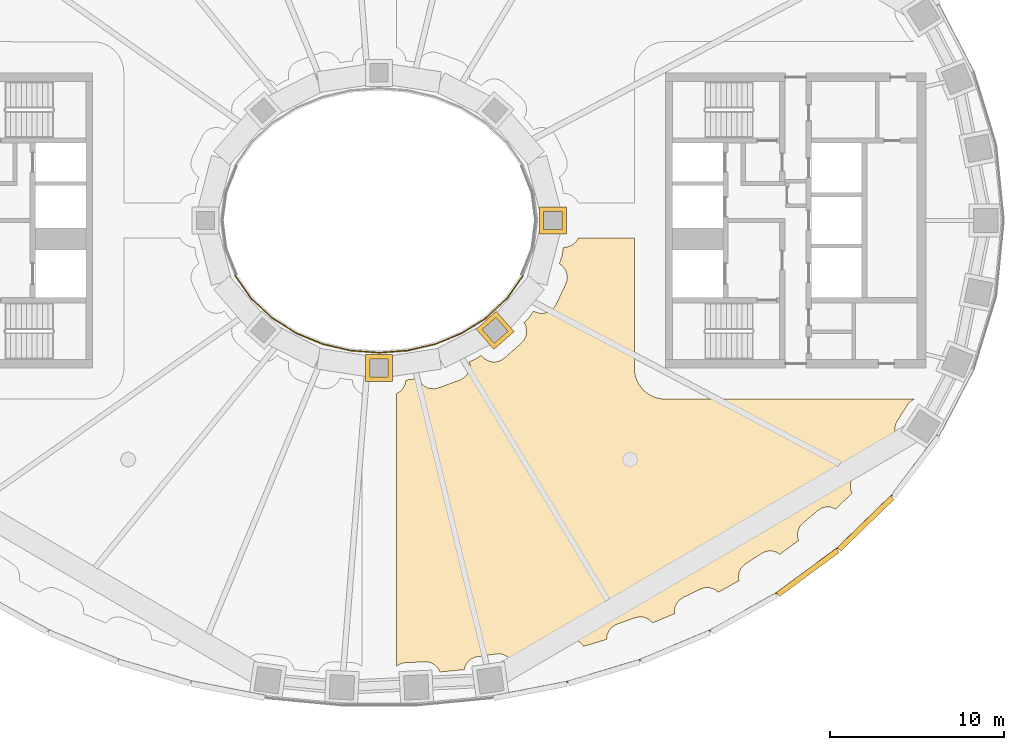
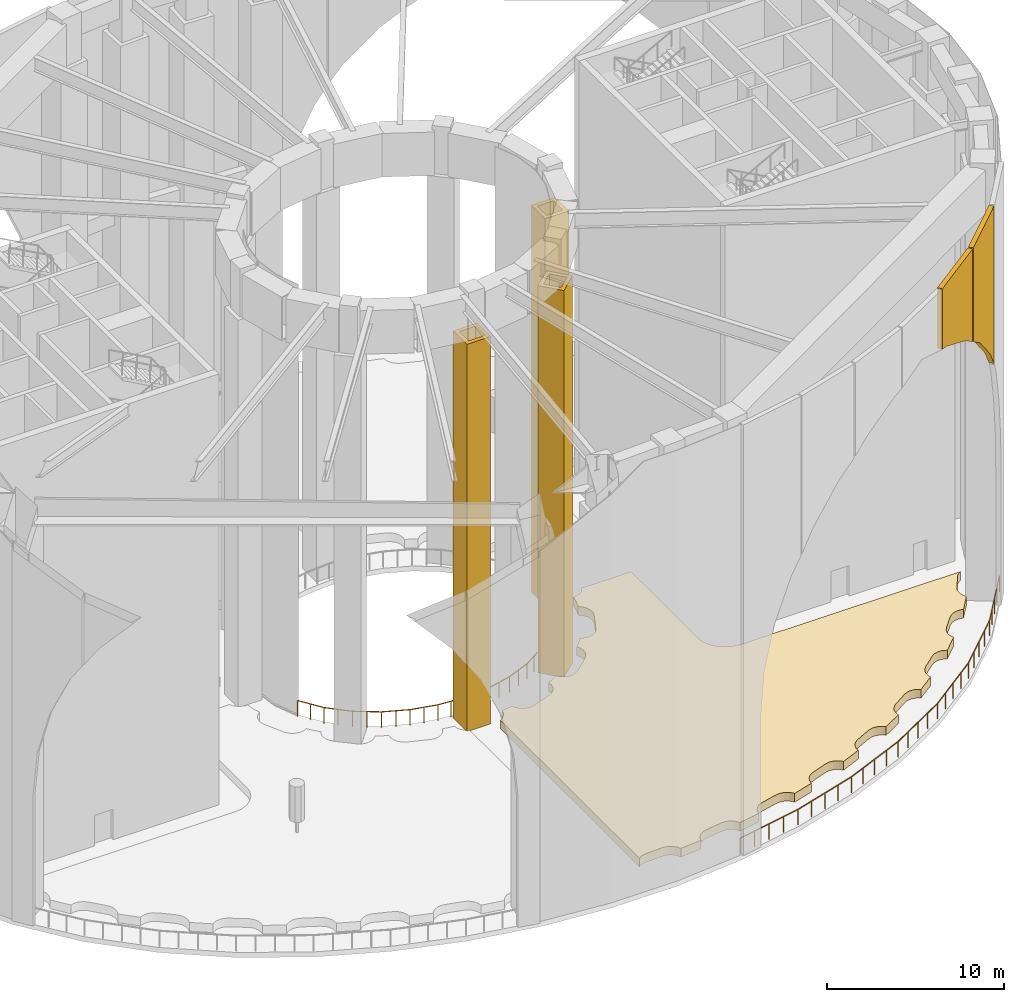
# One storey, part 17 of 26: 6 coverings, 2 railings.
"""IFC4 building model written with IfcOpenShell, lengths in metres."""

from ifc_helpers import new_model, si_unit, direction, frame, origin, origin_2d, place, context, subcontext, project, spatial, polyline, rectangle, outline, extrude, material, layer, layer_set, type_object, element, save


model = new_model("IFC4")

# Units and contexts
model_context = context("Model", 3, precision=1e-05, world=origin(), true_north=direction((0.0, 1.0)))
body_context = subcontext(model_context, "Body", "Model", "MODEL_VIEW")
ifc_project = project(units=[si_unit("LENGTHUNIT", "METRE"), si_unit("AREAUNIT", "SQUARE_METRE"), si_unit("VOLUMEUNIT", "CUBIC_METRE"), si_unit("PLANEANGLEUNIT", "RADIAN"), si_unit("MASSUNIT", "GRAM", prefix="KILO")], contexts=[model_context])

# Site, building, storey
site_placement = place(None, origin())
site = spatial("IfcSite", under=ifc_project, at=site_placement, CompositionType="ELEMENT")
building_placement = place(site_placement, origin())
building = spatial("IfcBuilding", under=site, at=building_placement, Name="Noorbagh Ring Tower", CompositionType="ELEMENT")
storey_placement = place(building_placement, frame((0.0, 0.0, 203.5)))
storey = spatial("IfcBuildingStorey", under=building, at=storey_placement, Name="L47", CompositionType="ELEMENT", Elevation=203.5)

# Railings
ifc_material_1 = material(Name="Stainless steel 316", Category="steel")
railing_type = type_object("IfcRailingType", Name="ENV-GUARD-TERRACE", PredefinedType="GUARDRAIL", material=ifc_material_1)
railing_1_placement = place(storey_placement, frame((6.54248046875, -27.412353515625, 0.0)))
element("IfcRailing", 1, at=railing_1_placement, inside=storey, type_object=railing_type, Name="Terrace guard arc 4", PredefinedType="GUARDRAIL", context=body_context, shape_type="SweptSolid", body=[
    extrude(rectangle(XDim=0.048095703125, YDim=0.048095703125, at=origin_2d()), frame((0.0, 0.0, 1.076171875), z_axis=(0.981624683619, 0.190821855429, 0.0), x_axis=(-0.190821855429, 0.981624683619, 0.0)), (0.0, 0.0, 1.0), 4.374267578125),
    extrude(rectangle(XDim=0.048095703125, YDim=0.048095703125, at=origin_2d()), frame((4.2939453125, 0.834716796875, 1.076171875), z_axis=(0.957572423234, 0.288192738045, 0.0), x_axis=(-0.288192738045, 0.957572423234, 0.0)), (0.0, 0.0, 1.0), 4.373779296875),
    extrude(rectangle(XDim=0.048095703125, YDim=0.048095703125, at=origin_2d()), frame((8.482177734375, 2.09521484375, 1.076171875), z_axis=(0.921826545382, 0.387602657665, 0.0), x_axis=(-0.387602657665, 0.921826545382, 0.0)), (0.0, 0.0, 1.0), 4.37255859375),
    extrude(rectangle(XDim=0.048095703125, YDim=0.048095703125, at=origin_2d()), frame((12.512939453125, 3.7900390625, 1.076171875), z_axis=(0.872049444011, 0.489417783903, 0.0), x_axis=(-0.489417783903, 0.872049444011, 0.0)), (0.0, 0.0, 1.0), 4.371337890625),
    extrude(rectangle(XDim=0.048095703125, YDim=0.048095703125, at=origin_2d()), frame((16.324951171875, 5.929443359375, 1.076171875), z_axis=(0.80514009704, 0.593084668609, 0.0), x_axis=(-0.593084668609, 0.80514009704, 0.0)), (0.0, 0.0, 1.0), 4.369140625),
    extrude(rectangle(XDim=0.048095703125, YDim=0.048095703125, at=origin_2d()), frame((19.8427734375, 8.520751953125, 1.076171875), z_axis=(0.717208327463, 0.696858820004, 0.0), x_axis=(-0.696858820004, 0.717208327463, 0.0)), (0.0, 0.0, 1.0), 4.366943359375),
    extrude(rectangle(XDim=0.048095703125, YDim=0.048095703125, at=origin_2d()), frame((22.974853515625, 11.56396484375, 1.076171875), z_axis=(0.604055847, 0.796941988921, 0.0), x_axis=(-0.796941988921, 0.604055847, 0.0)), (0.0, 0.0, 1.0), 4.3642578125),
    extrude(rectangle(XDim=0.0419921875, YDim=0.0419921875, at=origin_2d()), origin(), (0.0, 0.0, 1.0), 1.052001953125),
    extrude(rectangle(XDim=0.0419921875, YDim=0.0419921875, at=origin_2d()), frame((1.073486328125, 0.208740234375, 0.0)), (0.0, 0.0, 1.0), 1.052001953125),
    extrude(rectangle(XDim=0.0419921875, YDim=0.0419921875, at=origin_2d()), frame((2.14697265625, 0.41748046875, 0.0)), (0.0, 0.0, 1.0), 1.052001953125),
    extrude(rectangle(XDim=0.0419921875, YDim=0.0419921875, at=origin_2d()), frame((3.220458984375, 0.6259765625, 0.0)), (0.0, 0.0, 1.0), 1.052001953125),
    extrude(rectangle(XDim=0.0419921875, YDim=0.0419921875, at=origin_2d()), frame((4.2939453125, 0.834716796875, 0.0)), (0.0, 0.0, 1.0), 1.052001953125),
    extrude(rectangle(XDim=0.0419921875, YDim=0.0419921875, at=origin_2d()), frame((5.341064453125, 1.14990234375, 0.0)), (0.0, 0.0, 1.0), 1.052001953125),
    extrude(rectangle(XDim=0.0419921875, YDim=0.0419921875, at=origin_2d()), frame((6.38818359375, 1.46484375, 0.0)), (0.0, 0.0, 1.0), 1.052001953125),
    extrude(rectangle(XDim=0.0419921875, YDim=0.0419921875, at=origin_2d()), frame((7.43505859375, 1.780029296875, 0.0)), (0.0, 0.0, 1.0), 1.052001953125),
    extrude(rectangle(XDim=0.0419921875, YDim=0.0419921875, at=origin_2d()), frame((8.482177734375, 2.09521484375, 0.0)), (0.0, 0.0, 1.0), 1.052001953125),
    extrude(rectangle(XDim=0.0419921875, YDim=0.0419921875, at=origin_2d()), frame((9.48974609375, 2.51904296875, 0.0)), (0.0, 0.0, 1.0), 1.052001953125),
    extrude(rectangle(XDim=0.0419921875, YDim=0.0419921875, at=origin_2d()), frame((10.49755859375, 2.942626953125, 0.0)), (0.0, 0.0, 1.0), 1.052001953125),
    extrude(rectangle(XDim=0.0419921875, YDim=0.0419921875, at=origin_2d()), frame((11.50537109375, 3.3662109375, 0.0)), (0.0, 0.0, 1.0), 1.052001953125),
    extrude(rectangle(XDim=0.0419921875, YDim=0.0419921875, at=origin_2d()), frame((12.512939453125, 3.7900390625, 0.0)), (0.0, 0.0, 1.0), 1.052001953125),
    extrude(rectangle(XDim=0.0419921875, YDim=0.0419921875, at=origin_2d()), frame((13.4658203125, 4.324951171875, 0.0)), (0.0, 0.0, 1.0), 1.052001953125),
    extrude(rectangle(XDim=0.0419921875, YDim=0.0419921875, at=origin_2d()), frame((14.4189453125, 4.85986328125, 0.0)), (0.0, 0.0, 1.0), 1.052001953125),
    extrude(rectangle(XDim=0.0419921875, YDim=0.0419921875, at=origin_2d()), frame((15.3720703125, 5.39453125, 0.0)), (0.0, 0.0, 1.0), 1.052001953125),
    extrude(rectangle(XDim=0.0419921875, YDim=0.0419921875, at=origin_2d()), frame((16.324951171875, 5.929443359375, 0.0)), (0.0, 0.0, 1.0), 1.052001953125),
    extrude(rectangle(XDim=0.0419921875, YDim=0.0419921875, at=origin_2d()), frame((17.204345703125, 6.5771484375, 0.0)), (0.0, 0.0, 1.0), 1.052001953125),
    extrude(rectangle(XDim=0.0419921875, YDim=0.0419921875, at=origin_2d()), frame((18.083984375, 7.22509765625, 0.0)), (0.0, 0.0, 1.0), 1.052001953125),
    extrude(rectangle(XDim=0.0419921875, YDim=0.0419921875, at=origin_2d()), frame((18.96337890625, 7.873046875, 0.0)), (0.0, 0.0, 1.0), 1.052001953125),
    extrude(rectangle(XDim=0.0419921875, YDim=0.0419921875, at=origin_2d()), frame((19.8427734375, 8.520751953125, 0.0)), (0.0, 0.0, 1.0), 1.052001953125),
    extrude(rectangle(XDim=0.0419921875, YDim=0.0419921875, at=origin_2d()), frame((20.625732421875, 9.281494140625, 0.0)), (0.0, 0.0, 1.0), 1.052001953125),
    extrude(rectangle(XDim=0.0419921875, YDim=0.0419921875, at=origin_2d()), frame((21.40869140625, 10.04248046875, 0.0)), (0.0, 0.0, 1.0), 1.052001953125),
    extrude(rectangle(XDim=0.0419921875, YDim=0.0419921875, at=origin_2d()), frame((22.19189453125, 10.80322265625, 0.0)), (0.0, 0.0, 1.0), 1.052001953125),
    extrude(rectangle(XDim=0.0419921875, YDim=0.0419921875, at=origin_2d()), frame((22.974853515625, 11.56396484375, 0.0)), (0.0, 0.0, 1.0), 1.052001953125),
    extrude(rectangle(XDim=0.0419921875, YDim=0.0419921875, at=origin_2d()), frame((23.6337890625, 12.43359375, 0.0)), (0.0, 0.0, 1.0), 1.052001953125),
    extrude(rectangle(XDim=0.0419921875, YDim=0.0419921875, at=origin_2d()), frame((24.29296875, 13.302978515625, 0.0)), (0.0, 0.0, 1.0), 1.052001953125),
    extrude(rectangle(XDim=0.0419921875, YDim=0.0419921875, at=origin_2d()), frame((24.9521484375, 14.17236328125, 0.0)), (0.0, 0.0, 1.0), 1.052001953125),
    extrude(rectangle(XDim=0.0419921875, YDim=0.0419921875, at=origin_2d()), frame((25.611083984375, 15.0419921875, 0.0)), (0.0, 0.0, 1.0), 1.052001953125),
])
railing_2_placement = place(storey_placement, frame((-8.296630859375, -3.166259765625, 0.0)))
element("IfcRailing", 2, at=railing_2_placement, inside=storey, type_object=railing_type, Name="Terrace guard well edge 2", PredefinedType="GUARDRAIL", context=body_context, shape_type="SweptSolid", body=[
    extrude(rectangle(XDim=0.048095703125, YDim=0.048095703125, at=origin_2d()), frame((0.0, 0.0, 1.076171875), z_axis=(0.575093040454, -0.818088011659, 0.0), x_axis=(0.818088011659, 0.575093040454, 0.0)), (0.0, 0.0, 1.0), 1.646728515625),
    extrude(rectangle(XDim=0.048095703125, YDim=0.048095703125, at=origin_2d()), frame((0.947021484375, -1.34716796875, 1.076171875), z_axis=(0.732825217682, -0.680416931248, 0.0), x_axis=(0.680416931248, 0.732825217682, 0.0)), (0.0, 0.0, 1.0), 1.64453125),
    extrude(rectangle(XDim=0.048095703125, YDim=0.048095703125, at=origin_2d()), frame((2.152099609375, -2.466064453125, 1.076171875), z_axis=(0.847379906848, -0.530987093506, 0.0), x_axis=(0.530987093506, 0.847379906848, 0.0)), (0.0, 0.0, 1.0), 1.642822265625),
    extrude(rectangle(XDim=0.048095703125, YDim=0.048095703125, at=origin_2d()), frame((3.544189453125, -3.33837890625, 1.076171875), z_axis=(0.925639334748, -0.378406952852, 0.0), x_axis=(0.378406952852, 0.925639334748, 0.0)), (0.0, 0.0, 1.0), 1.641357421875),
    extrude(rectangle(XDim=0.048095703125, YDim=0.048095703125, at=origin_2d()), frame((5.0634765625, -3.95947265625, 1.076171875), z_axis=(0.974076707118, -0.226217967123, 0.0), x_axis=(0.226217967123, 0.974076707118, 0.0)), (0.0, 0.0, 1.0), 1.640380859375),
    extrude(rectangle(XDim=0.048095703125, YDim=0.048095703125, at=origin_2d()), frame((6.661376953125, -4.33056640625, 1.076171875), z_axis=(0.997158637168, -0.075330288206, 0.0), x_axis=(0.075330288206, 0.997158637168, 0.0)), (0.0, 0.0, 1.0), 1.639892578125),
    extrude(rectangle(XDim=0.048095703125, YDim=0.048095703125, at=origin_2d()), frame((8.296630859375, -4.4541015625, 1.076171875), z_axis=(0.997158637168, 0.075330288206, 0.0), x_axis=(-0.075330288206, 0.997158637168, 0.0)), (0.0, 0.0, 1.0), 1.639892578125),
    extrude(rectangle(XDim=0.048095703125, YDim=0.048095703125, at=origin_2d()), frame((9.931884765625, -4.33056640625, 1.076171875), z_axis=(0.974076707118, 0.226217967123, 0.0), x_axis=(-0.226217967123, 0.974076707118, 0.0)), (0.0, 0.0, 1.0), 1.640380859375),
    extrude(rectangle(XDim=0.048095703125, YDim=0.048095703125, at=origin_2d()), frame((11.52978515625, -3.95947265625, 1.076171875), z_axis=(0.925639334748, 0.378406952852, 0.0), x_axis=(-0.378406952852, 0.925639334748, 0.0)), (0.0, 0.0, 1.0), 1.641357421875),
    extrude(rectangle(XDim=0.048095703125, YDim=0.048095703125, at=origin_2d()), frame((13.049072265625, -3.33837890625, 1.076171875), z_axis=(0.847379906848, 0.530987093506, 0.0), x_axis=(-0.530987093506, 0.847379906848, 0.0)), (0.0, 0.0, 1.0), 1.642822265625),
    extrude(rectangle(XDim=0.048095703125, YDim=0.048095703125, at=origin_2d()), frame((14.441162109375, -2.466064453125, 1.076171875), z_axis=(0.732825217682, 0.680416931248, 0.0), x_axis=(-0.680416931248, 0.732825217682, 0.0)), (0.0, 0.0, 1.0), 1.64453125),
    extrude(rectangle(XDim=0.048095703125, YDim=0.048095703125, at=origin_2d()), frame((15.646240234375, -1.34716796875, 1.076171875), z_axis=(0.575093040454, 0.818088011659, 0.0), x_axis=(-0.818088011659, 0.575093040454, 0.0)), (0.0, 0.0, 1.0), 1.646728515625),
    extrude(rectangle(XDim=0.0419921875, YDim=0.0419921875, at=origin_2d()), origin(), (0.0, 0.0, 1.0), 1.052001953125),
    extrude(rectangle(XDim=0.0419921875, YDim=0.0419921875, at=origin_2d()), frame((0.4736328125, -0.673583984375, 0.0)), (0.0, 0.0, 1.0), 1.052001953125),
    extrude(rectangle(XDim=0.0419921875, YDim=0.0419921875, at=origin_2d()), frame((0.947021484375, -1.34716796875, 0.0)), (0.0, 0.0, 1.0), 1.052001953125),
    extrude(rectangle(XDim=0.0419921875, YDim=0.0419921875, at=origin_2d()), frame((1.549560546875, -1.90673828125, 0.0)), (0.0, 0.0, 1.0), 1.052001953125),
    extrude(rectangle(XDim=0.0419921875, YDim=0.0419921875, at=origin_2d()), frame((2.152099609375, -2.466064453125, 0.0)), (0.0, 0.0, 1.0), 1.052001953125),
    extrude(rectangle(XDim=0.0419921875, YDim=0.0419921875, at=origin_2d()), frame((2.84814453125, -2.90234375, 0.0)), (0.0, 0.0, 1.0), 1.052001953125),
    extrude(rectangle(XDim=0.0419921875, YDim=0.0419921875, at=origin_2d()), frame((3.544189453125, -3.33837890625, 0.0)), (0.0, 0.0, 1.0), 1.052001953125),
    extrude(rectangle(XDim=0.0419921875, YDim=0.0419921875, at=origin_2d()), frame((4.3037109375, -3.64892578125, 0.0)), (0.0, 0.0, 1.0), 1.052001953125),
    extrude(rectangle(XDim=0.0419921875, YDim=0.0419921875, at=origin_2d()), frame((5.0634765625, -3.95947265625, 0.0)), (0.0, 0.0, 1.0), 1.052001953125),
    extrude(rectangle(XDim=0.0419921875, YDim=0.0419921875, at=origin_2d()), frame((5.8623046875, -4.14501953125, 0.0)), (0.0, 0.0, 1.0), 1.052001953125),
    extrude(rectangle(XDim=0.0419921875, YDim=0.0419921875, at=origin_2d()), frame((6.661376953125, -4.33056640625, 0.0)), (0.0, 0.0, 1.0), 1.052001953125),
    extrude(rectangle(XDim=0.0419921875, YDim=0.0419921875, at=origin_2d()), frame((7.47900390625, -4.392333984375, 0.0)), (0.0, 0.0, 1.0), 1.052001953125),
    extrude(rectangle(XDim=0.0419921875, YDim=0.0419921875, at=origin_2d()), frame((8.296630859375, -4.4541015625, 0.0)), (0.0, 0.0, 1.0), 1.052001953125),
    extrude(rectangle(XDim=0.0419921875, YDim=0.0419921875, at=origin_2d()), frame((9.1142578125, -4.392333984375, 0.0)), (0.0, 0.0, 1.0), 1.052001953125),
    extrude(rectangle(XDim=0.0419921875, YDim=0.0419921875, at=origin_2d()), frame((9.931884765625, -4.33056640625, 0.0)), (0.0, 0.0, 1.0), 1.052001953125),
    extrude(rectangle(XDim=0.0419921875, YDim=0.0419921875, at=origin_2d()), frame((10.73095703125, -4.14501953125, 0.0)), (0.0, 0.0, 1.0), 1.052001953125),
    extrude(rectangle(XDim=0.0419921875, YDim=0.0419921875, at=origin_2d()), frame((11.52978515625, -3.95947265625, 0.0)), (0.0, 0.0, 1.0), 1.052001953125),
    extrude(rectangle(XDim=0.0419921875, YDim=0.0419921875, at=origin_2d()), frame((12.28955078125, -3.64892578125, 0.0)), (0.0, 0.0, 1.0), 1.052001953125),
    extrude(rectangle(XDim=0.0419921875, YDim=0.0419921875, at=origin_2d()), frame((13.049072265625, -3.33837890625, 0.0)), (0.0, 0.0, 1.0), 1.052001953125),
    extrude(rectangle(XDim=0.0419921875, YDim=0.0419921875, at=origin_2d()), frame((13.7451171875, -2.90234375, 0.0)), (0.0, 0.0, 1.0), 1.052001953125),
    extrude(rectangle(XDim=0.0419921875, YDim=0.0419921875, at=origin_2d()), frame((14.441162109375, -2.466064453125, 0.0)), (0.0, 0.0, 1.0), 1.052001953125),
    extrude(rectangle(XDim=0.0419921875, YDim=0.0419921875, at=origin_2d()), frame((15.043701171875, -1.90673828125, 0.0)), (0.0, 0.0, 1.0), 1.052001953125),
    extrude(rectangle(XDim=0.0419921875, YDim=0.0419921875, at=origin_2d()), frame((15.646240234375, -1.34716796875, 0.0)), (0.0, 0.0, 1.0), 1.052001953125),
    extrude(rectangle(XDim=0.0419921875, YDim=0.0419921875, at=origin_2d()), frame((16.11962890625, -0.673583984375, 0.0)), (0.0, 0.0, 1.0), 1.052001953125),
    extrude(rectangle(XDim=0.0419921875, YDim=0.0419921875, at=origin_2d()), frame((16.59326171875, 0.0, 0.0)), (0.0, 0.0, 1.0), 1.052001953125),
])

# Coverings
ifc_material_2 = material(Name="Concrete C30/37 planter with soil", Category="concrete")
covering_type_1 = type_object("IfcCoveringType", Name="ENV-PLANTER", PredefinedType="CLADDING", material=ifc_material_2)
covering_1_placement = place(storey_placement, origin())
element("IfcCovering", 3, at=covering_1_placement, inside=storey, type_object=covering_type_1, Name="PLANTER bed 02", ObjectType="PLANTER", PredefinedType="CLADDING", context=body_context, shape_type="SweptSolid", body=[
    extrude(outline(polyline([(26.302001953125, -16.6298828125), (26.0087890625, -16.519775390625), (25.744873046875, -16.510986328125), (25.489501953125, -16.5791015625), (25.26513671875, -16.718505859375), (24.42578125, -17.429443359375), (24.251708984375, -17.627685546875), (24.142333984375, -17.868408203125), (24.110595703125, -18.0419921875), (24.11328125, -18.21826171875), (24.168212890625, -18.43798828125), (23.085205078125, -19.235595703125), (22.883544921875, -19.11376953125), (22.7158203125, -19.059814453125), (22.4521484375, -19.04248046875), (22.278564453125, -19.07421875), (22.0380859375, -19.183349609375), (21.0419921875, -19.831298828125), (20.861572265625, -20.024169921875), (20.74462890625, -20.260986328125), (20.701904296875, -20.521484375), (20.72998046875, -20.755859375), (19.54296875, -21.422119140625), (19.425537109375, -21.320068359375), (19.273193359375, -21.231201171875), (19.019287109375, -21.15771484375), (18.75537109375, -21.1611328125), (18.503662109375, -21.2412109375), (17.515380859375, -21.724365234375), (17.297607421875, -21.873779296875), (17.180908203125, -22.006103515625), (17.059326171875, -22.240478515625), (17.018798828125, -22.412353515625), (17.019775390625, -22.65576171875), (15.75341796875, -23.188232421875), (15.575927734375, -23.013427734375), (15.424560546875, -22.923095703125), (15.25830078125, -22.864013671875), (14.99560546875, -22.83837890625), (14.736572265625, -22.890380859375), (13.619873046875, -23.29638671875), (13.400390625, -23.443603515625), (13.233154296875, -23.64794921875), (13.132568359375, -23.89208984375), (13.10693359375, -24.139892578125), (11.78271484375, -24.53857421875), (11.68408203125, -24.405517578125), (11.5537109375, -24.28662109375), (11.3212890625, -24.161376953125), (11.0625, -24.10888671875), (10.799560546875, -24.134033203125), (9.731689453125, -24.397705078125), (9.4873046875, -24.498046875), (9.34521484375, -24.602783203125), (9.177001953125, -24.806396484375), (9.10107421875, -24.965576171875), (9.0498046875, -25.21337890625), (7.68603515625, -25.478515625), (7.5439453125, -25.265869140625), (7.413818359375, -25.14697265625), (7.18115234375, -25.021484375), (7.01025390625, -24.97802734375), (6.74609375, -24.97705078125), (5.57080078125, -25.1513671875), (5.326416015625, -25.25146484375), (5.12158203125, -25.418212890625), (4.97412109375, -25.637451171875), (4.898193359375, -25.881591796875), (3.51171875, -26.013916015625), (3.39013671875, -25.787353515625), (3.20361328125, -25.600341796875), (2.970947265625, -25.4755859375), (2.7119140625, -25.423583984375), (1.43701171875, -25.484375), (1.18408203125, -25.560546875), (1.0, -25.677734375), (1.0, -9.981689453125), (1.220947265625, -9.8486328125), (1.398193359375, -9.65283203125), (1.51123046875, -9.4140625), (1.54833984375, -9.188232421875), (1.889404296875, -9.1572265625), (2.2568359375, -9.0771484375), (2.303466796875, -9.191650390625), (2.395263671875, -9.34228515625), (2.5146484375, -9.47216796875), (2.656982421875, -9.576171875), (2.817138671875, -9.650390625), (2.988525390625, -9.69189453125), (3.164794921875, -9.699462890625), (3.339111328125, -9.672119140625), (4.644287109375, -9.198974609375), (4.876220703125, -9.07275390625), (5.0615234375, -8.884521484375), (5.184326171875, -8.650634765625), (5.23388671875, -8.391357421875), (5.207275390625, -8.133544921875), (5.518798828125, -7.9990234375), (5.88671875, -7.7763671875), (6.076171875, -7.9658203125), (6.22607421875, -8.058837890625), (6.391357421875, -8.120849609375), (6.5654296875, -8.1494140625), (6.74169921875, -8.143310546875), (6.91357421875, -8.10302734375), (7.07421875, -8.030029296875), (7.21728515625, -7.927001953125), (8.19384765625, -7.068603515625), (8.364501953125, -6.8671875), (8.468994140625, -6.62451171875), (8.4990234375, -6.3623046875), (8.451416015625, -6.102294921875), (8.341552734375, -5.884765625), (8.61474609375, -5.61767578125), (8.904541015625, -5.222900390625), (9.080078125, -5.30126953125), (9.251220703125, -5.344482421875), (9.42724609375, -5.353271484375), (9.601806640625, -5.32763671875), (9.76806640625, -5.268310546875), (9.91943359375, -5.177978515625), (10.05029296875, -5.0595703125), (10.155517578125, -4.91796875), (10.754638671875, -3.66552734375), (10.83154296875, -3.4130859375), (10.831787109375, -3.14892578125), (10.755615234375, -2.89599609375), (10.609130859375, -2.67626953125), (10.478515625, -2.5576171875), (10.375244140625, -2.492431640625), (10.5126953125, -2.13134765625), (10.55078125, -1.985595703125), (10.61376953125, -1.550048828125), (10.74658203125, -1.545654296875), (10.919677734375, -1.51123046875), (11.158447265625, -1.398193359375), (11.35400390625, -1.220947265625), (11.4873046875, -1.0), (14.699951171875, -1.0), (14.708740234375, -8.676513671875), (14.777587890625, -9.0224609375), (14.91259765625, -9.348388671875), (15.00341796875, -9.5), (15.227294921875, -9.772705078125), (15.358154296875, -9.891357421875), (15.651611328125, -10.08740234375), (15.9775390625, -10.222412109375), (16.323486328125, -10.291259765625), (16.5, -10.300048828125), (30.80859375, -10.300048828125), (30.607177734375, -10.430419921875), (30.4853515625, -10.55810546875), (29.845703125, -11.5595703125), (29.766357421875, -11.717041015625), (29.71923828125, -11.88720703125), (29.712890625, -12.151123046875), (29.783203125, -12.40576171875), (29.886474609375, -12.580078125), (29.10009765625, -13.617431640625), (28.9794921875, -13.57861328125), (28.8046875, -13.5546875), (28.542236328125, -13.583740234375), (28.29931640625, -13.687744140625), (28.097412109375, -13.85791015625), (27.368408203125, -14.681640625), (27.224365234375, -14.903076171875), (27.150634765625, -15.156494140625), (27.14404296875, -15.3330078125), (27.172119140625, -15.507080078125), (27.25244140625, -15.706787109375), (26.302001953125, -16.6298828125)])), origin(), (0.0, 0.0, 1.0), 0.60009765625),
])
ifc_material_3 = material(Name="Sandstone cladding", Category="masonry")
ifc_layer_1 = layer(ifc_material_3, 0.300048828125)
ifc_layer_set_1 = layer_set([ifc_layer_1], Name="Sandstone cladding")
covering_type_2 = type_object("IfcCoveringType", Name="STYLE-IWAN", PredefinedType="CLADDING", material=ifc_layer_set_1)
covering_2_placement = place(storey_placement, frame((24.60888671875, -20.162841796875, 0.0), z_axis=(0.593067090304, -0.805153045326, 0.0), x_axis=(0.805153045326, 0.593067090304, 0.0)))
element("IfcCovering", 4, at=covering_2_placement, inside=storey, type_object=covering_type_2, Name="Gateway frame F41", ObjectType="ARCH", PredefinedType="CLADDING", context=body_context, shape_type="SweptSolid", body=[
    extrude(outline(polyline([(-2.142578125, 29.699951171875), (-2.142578125, 25.53125), (-1.513671875, 25.34375), (1.170654296875, 24.01171875), (2.142578125, 23.301025390625), (2.142578125, 29.699951171875), (-2.142578125, 29.699951171875)])), origin(), (0.0, 0.0, 1.0), 0.300048828125),
])
covering_3_placement = place(storey_placement, frame((27.930908203125, -17.34814453125, 0.0), z_axis=(0.696842125038, -0.717224548362, 0.0), x_axis=(0.717224548362, 0.696842125038, 0.0)))
element("IfcCovering", 5, at=covering_3_placement, inside=storey, type_object=covering_type_2, Name="Gateway frame F42", ObjectType="ARCH", PredefinedType="CLADDING", context=body_context, shape_type="SweptSolid", body=[
    extrude(outline(polyline([(-2.14208984375, 29.699951171875), (-2.14208984375, 23.227783203125), (-0.795166015625, 22.242919921875), (1.287841796875, 20.088623046875), (2.14208984375, 18.833984375), (2.14208984375, 29.699951171875), (-2.14208984375, 29.699951171875)])), origin(), (0.0, 0.0, 1.0), 0.300048828125),
])
ifc_material_4 = material(Name="Sandstone cladding", Category="masonry")
ifc_layer_2 = layer(ifc_material_4, 0.25)
ifc_layer_set_2 = layer_set([ifc_layer_2], Name="Sandstone cladding")
covering_type_3 = type_object("IfcCoveringType", Name="STYLE-IWAN-PIER", PredefinedType="CLADDING", material=ifc_layer_set_2)
covering_4_placement = place(storey_placement, origin())
element("IfcCovering", 6, at=covering_4_placement, inside=storey, type_object=covering_type_3, Name="Pier casing IR2-W01", ObjectType="PIER", PredefinedType="CLADDING", context=body_context, shape_type="SweptSolid", body=[
    extrude(outline(polyline([(10.783447265625, -0.77490234375), (9.2333984375, -0.77490234375), (9.2333984375, 0.77490234375), (10.783447265625, 0.77490234375), (10.783447265625, -0.77490234375)]), holes=[polyline([(10.533447265625, -0.52490234375), (10.533447265625, 0.52490234375), (9.4833984375, 0.52490234375), (9.4833984375, -0.52490234375), (10.533447265625, -0.52490234375)])]), origin(), (0.0, 0.0, 1.0), 26.699951171875),
])
covering_5_placement = place(storey_placement, origin())
element("IfcCovering", 7, at=covering_5_placement, inside=storey, type_object=covering_type_3, Name="Pier casing IR2-W25", ObjectType="PIER", PredefinedType="CLADDING", context=body_context, shape_type="SweptSolid", body=[
    extrude(outline(polyline([(-0.77490234375, -9.27783203125), (-0.77490234375, -7.727783203125), (0.77490234375, -7.727783203125), (0.77490234375, -9.27783203125), (-0.77490234375, -9.27783203125)]), holes=[polyline([(-0.52490234375, -9.02783203125), (0.52490234375, -9.02783203125), (0.52490234375, -7.977783203125), (-0.52490234375, -7.977783203125), (-0.52490234375, -9.02783203125)])]), origin(), (0.0, 0.0, 1.0), 26.699951171875),
])
covering_6_placement = place(storey_placement, origin())
element("IfcCovering", 8, at=covering_6_placement, inside=storey, type_object=covering_type_3, Name="Pier casing IR2-W29", ObjectType="PIER", PredefinedType="CLADDING", context=body_context, shape_type="SweptSolid", body=[
    extrude(outline(polyline([(6.61181640625, -7.427490234375), (5.58837890625, -6.263427734375), (6.75244140625, -5.239990234375), (7.77587890625, -6.404052734375), (6.61181640625, -7.427490234375)]), holes=[polyline([(6.634521484375, -7.07470703125), (7.423095703125, -6.38134765625), (6.729736328125, -5.593017578125), (5.94140625, -6.2861328125), (6.634521484375, -7.07470703125)])]), origin(), (0.0, 0.0, 1.0), 26.699951171875),
])

save(model, "model.ifc")
